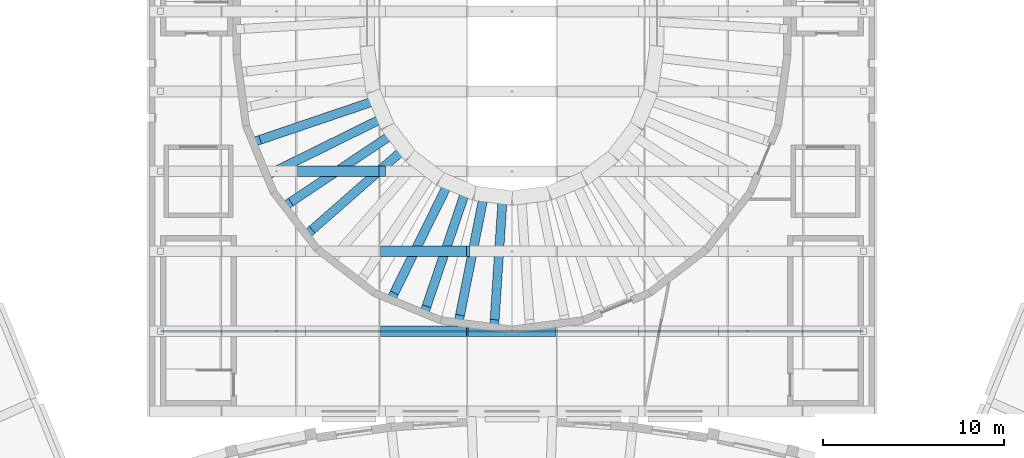
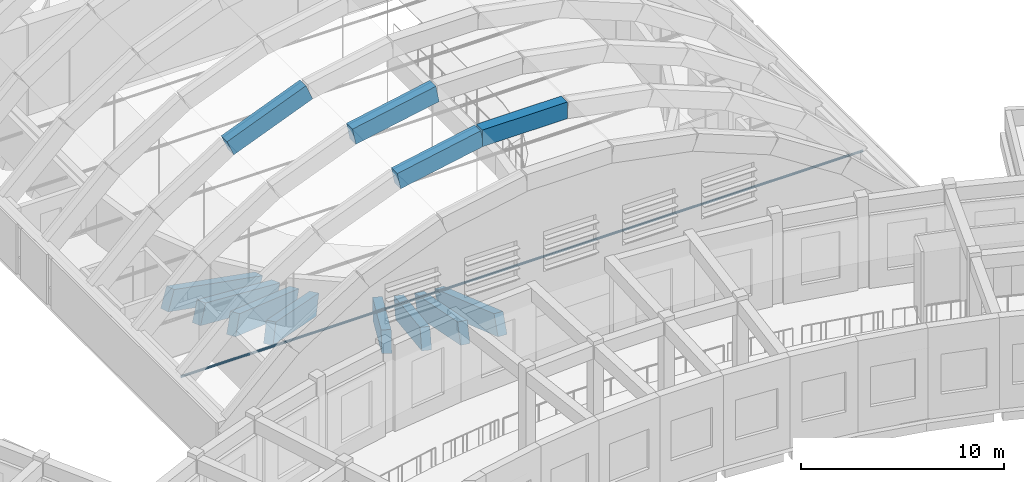
# One storey, part 16 of 94: 12 beams, 1 member.
"""IFC4 building model written with IfcOpenShell, lengths in metres."""

from ifc_helpers import new_model, si_unit, direction, frame, origin, origin_2d, place, context, subcontext, project, spatial, rectangle, hollow_circle, extrude, material, material_profile, profile_set, type_object, element, save


model = new_model("IFC4")

# Units and contexts
model_context = context("Model", 3, precision=1e-05, world=origin(), true_north=direction((0.0, 1.0)))
body_context = subcontext(model_context, "Body", "Model", "MODEL_VIEW")
ifc_project = project(units=[si_unit("LENGTHUNIT", "METRE"), si_unit("AREAUNIT", "SQUARE_METRE"), si_unit("VOLUMEUNIT", "CUBIC_METRE"), si_unit("PLANEANGLEUNIT", "RADIAN"), si_unit("MASSUNIT", "GRAM", prefix="KILO")], contexts=[model_context])

# Site, building, storey
site_placement = place(None, origin())
site = spatial("IfcSite", under=ifc_project, at=site_placement, CompositionType="ELEMENT")
building_placement = place(site_placement, origin())
building = spatial("IfcBuilding", under=site, at=building_placement, Name="Lunette Opera House", CompositionType="ELEMENT")
storey_placement = place(building_placement, frame((0.0, 0.0, 22.5)))
storey = spatial("IfcBuildingStorey", under=building, at=storey_placement, Name="L04", CompositionType="ELEMENT", Elevation=22.5)

# Beams
ifc_material_1 = material(Name="Concrete C40/50", Category="concrete")
ifc_material_profile_1 = material_profile(ifc_material_1, rectangle(XDim=0.60009765625, YDim=1.0, at=origin_2d()), Name="ARCH BEAM 600X1000")
ifc_profile_set_1 = profile_set([ifc_material_profile_1], Name="Concrete C40/50")
beam_type_1 = type_object("IfcBeamType", Name="ARCH BEAM 600X1000", PredefinedType="BEAM", material=ifc_profile_set_1)
beam_1_placement = place(storey_placement, frame((88.8310546875, 68.714111328125, 10.346923828125), z_axis=(0.981908402453, 0.0, 0.189356513466), x_axis=(0.0, 1.0, 0.0)))
element("IfcBeam", 1, at=beam_1_placement, inside=storey, type_object=beam_type_1, Name="beam-AU-L04-EA2-4", PredefinedType="BEAM", context=body_context, shape_type="SweptSolid", body=[
    extrude(rectangle(XDim=0.60009765625, YDim=1.0, at=origin_2d()), origin(), (0.0, 0.0, 1.0), 4.83740234375),
])
beam_2_placement = place(storey_placement, frame((93.5810546875, 68.714111328125, 11.262939453125), z_axis=(1.0, 0.0, 0.0), x_axis=(0.0, 1.0, 0.0)))
element("IfcBeam", 2, at=beam_2_placement, inside=storey, type_object=beam_type_1, Name="beam-AU-L04-EA2-5", PredefinedType="BEAM", context=body_context, shape_type="SweptSolid", body=[
    extrude(rectangle(XDim=0.60009765625, YDim=1.0, at=origin_2d()), origin(), (0.0, 0.0, 1.0), 4.837890625),
])
beam_3_placement = place(storey_placement, frame((88.8310546875, 73.12890625, 10.346923828125), z_axis=(0.981908402453, 0.0, 0.189356513466), x_axis=(0.0, 1.0, 0.0)))
element("IfcBeam", 3, at=beam_3_placement, inside=storey, type_object=beam_type_1, Name="beam-AU-L04-EA3-4", PredefinedType="BEAM", context=body_context, shape_type="SweptSolid", body=[
    extrude(rectangle(XDim=0.60009765625, YDim=1.0, at=origin_2d()), origin(), (0.0, 0.0, 1.0), 4.83740234375),
])
beam_4_placement = place(storey_placement, frame((84.340087890625, 77.54296875, 8.548095703125), z_axis=(0.92830257193, 0.0, 0.371825678172), x_axis=(0.0, 1.0, 0.0)))
element("IfcBeam", 4, at=beam_4_placement, inside=storey, type_object=beam_type_1, Name="beam-AU-L04-EA4-3", PredefinedType="BEAM", context=body_context, shape_type="SweptSolid", body=[
    extrude(rectangle(XDim=0.60009765625, YDim=1.0, at=origin_2d()), origin(), (0.0, 0.0, 1.0), 4.837890625),
])

# Member
ifc_material_2 = material(Name="Steel S355", Category="steel")
ifc_material_profile_2 = material_profile(ifc_material_2, hollow_circle(Radius=0.06982421875, WallThickness=0.008056640625, at=origin_2d()), Name="CHS 139.7X8")
ifc_profile_set_2 = profile_set([ifc_material_profile_2], Name="Steel S355")
member_type = type_object("IfcMemberType", Name="CHS 139.7X8", PredefinedType="STRUT", material=ifc_profile_set_2)
member_placement = place(storey_placement, frame((76.60009765625, 68.714111328125, 2.699951171875), z_axis=(1.0, 0.0, 0.0), x_axis=(0.0, 1.0, 0.0)))
element("IfcMember", 5, at=member_placement, inside=storey, type_object=member_type, Name="mem-AU-L04-TR2", PredefinedType="STRUT", context=body_context, shape_type="SweptSolid", body=[
    extrude(hollow_circle(Radius=0.06982421875, WallThickness=0.008056640625, at=origin_2d()), origin(), (0.0, 0.0, 1.0), 38.7998046875),
])

# Beams
ifc_material_3 = material(Name="Concrete C35/45", Category="concrete")
ifc_material_profile_3 = material_profile(ifc_material_3, rectangle(XDim=0.5, YDim=1.199951171875, at=origin_2d()), Name="RAKER BEAM 500X1200")
ifc_profile_set_3 = profile_set([ifc_material_profile_3], Name="Concrete C35/45")
beam_type_2 = type_object("IfcBeamType", Name="RAKER BEAM 500X1200", PredefinedType="BEAM", material=ifc_profile_set_3)
for number, where, z_axis, x_axis, name in (
    (6, (81.885986328125, 79.212890625, -0.845947265625), (0.879541429095, 0.298348612243, -0.37066828847), (-0.32123143034, 0.947000722366, 0.0), "beam-AU-L04-RKT3-03-1"),
    (7, (82.635009765625, 77.404052734375, -0.845947265625), (0.832863737537, 0.411024107178, -0.370671253289), (-0.44254950299, 0.896744075756, 0.0), "beam-AU-L04-RKT3-03-2"),
):
    element("IfcBeam", number, at=place(storey_placement, frame(where, z_axis=z_axis, x_axis=x_axis)), inside=storey, type_object=beam_type_2, Name=name, PredefinedType="BEAM", context=body_context, shape_type="SweptSolid", body=[
        extrude(rectangle(XDim=0.5, YDim=1.199951171875, at=origin_2d()), origin(), (0.0, 0.0, 1.0), 7.133056640625),
    ])
beam_5_placement = place(storey_placement, frame((83.60595703125, 75.722900390625, -0.845947265625), z_axis=(0.772351504603, 0.515813745818, -0.370687648786), x_axis=(-0.555380380802, 0.831596436152, 0.0)))
element("IfcBeam", 8, at=beam_5_placement, inside=storey, type_object=beam_type_2, Name="beam-AU-L04-RKT3-04-1", PredefinedType="BEAM", context=body_context, shape_type="SweptSolid", body=[
    extrude(rectangle(XDim=0.5, YDim=1.199951171875, at=origin_2d()), origin(), (0.0, 0.0, 1.0), 7.1328125),
])
beam_6_placement = place(storey_placement, frame((84.797119140625, 74.169921875, -0.845947265625), z_axis=(0.698060792312, 0.61257418288, -0.370761379739), x_axis=(-0.659583942645, 0.751630908495, 0.0)))
element("IfcBeam", 9, at=beam_6_placement, inside=storey, type_object=beam_type_2, Name="beam-AU-L04-RKT3-04-2", PredefinedType="BEAM", context=body_context, shape_type="SweptSolid", body=[
    extrude(rectangle(XDim=0.5, YDim=1.199951171875, at=origin_2d()), origin(), (0.0, 0.0, 1.0), 7.134033203125),
])
for number, where, z_axis, x_axis, name in (
    (10, (89.404052734375, 70.635009765625, -0.845947265625), (0.411024107178, 0.832863737537, -0.370671253289), (-0.896744075756, 0.44254950299, 0.0), "beam-AU-L04-RKT3-06-1"),
    (11, (91.212890625, 69.885986328125, -0.845947265625), (0.298348612243, 0.879541429095, -0.37066828847), (-0.947000722366, 0.32123143034, 0.0), "beam-AU-L04-RKT3-06-2"),
):
    element("IfcBeam", number, at=place(storey_placement, frame(where, z_axis=z_axis, x_axis=x_axis)), inside=storey, type_object=beam_type_2, Name=name, PredefinedType="BEAM", context=body_context, shape_type="SweptSolid", body=[
        extrude(rectangle(XDim=0.5, YDim=1.199951171875, at=origin_2d()), origin(), (0.0, 0.0, 1.0), 7.133056640625),
    ])
beam_7_placement = place(storey_placement, frame((93.087890625, 69.383056640625, -0.845947265625), z_axis=(0.181550011258, 0.910864297764, -0.37062895795), x_axis=(-0.980709426822, 0.195471277025, 0.0)))
element("IfcBeam", 12, at=beam_7_placement, inside=storey, type_object=beam_type_2, Name="beam-AU-L04-RKT3-07-1", PredefinedType="BEAM", context=body_context, shape_type="SweptSolid", body=[
    extrude(rectangle(XDim=0.5, YDim=1.199951171875, at=origin_2d()), origin(), (0.0, 0.0, 1.0), 7.134033203125),
])
beam_8_placement = place(storey_placement, frame((95.029052734375, 69.1279296875, -0.845947265625), z_axis=(0.060544905842, 0.926792258501, -0.370662142604), x_axis=(-0.997872972674, 0.065188422344, 0.0)))
element("IfcBeam", 13, at=beam_8_placement, inside=storey, type_object=beam_type_2, Name="beam-AU-L04-RKT3-07-2", PredefinedType="BEAM", context=body_context, shape_type="SweptSolid", body=[
    extrude(rectangle(XDim=0.5, YDim=1.199951171875, at=origin_2d()), origin(), (0.0, 0.0, 1.0), 7.13330078125),
])

save(model, "model.ifc")
